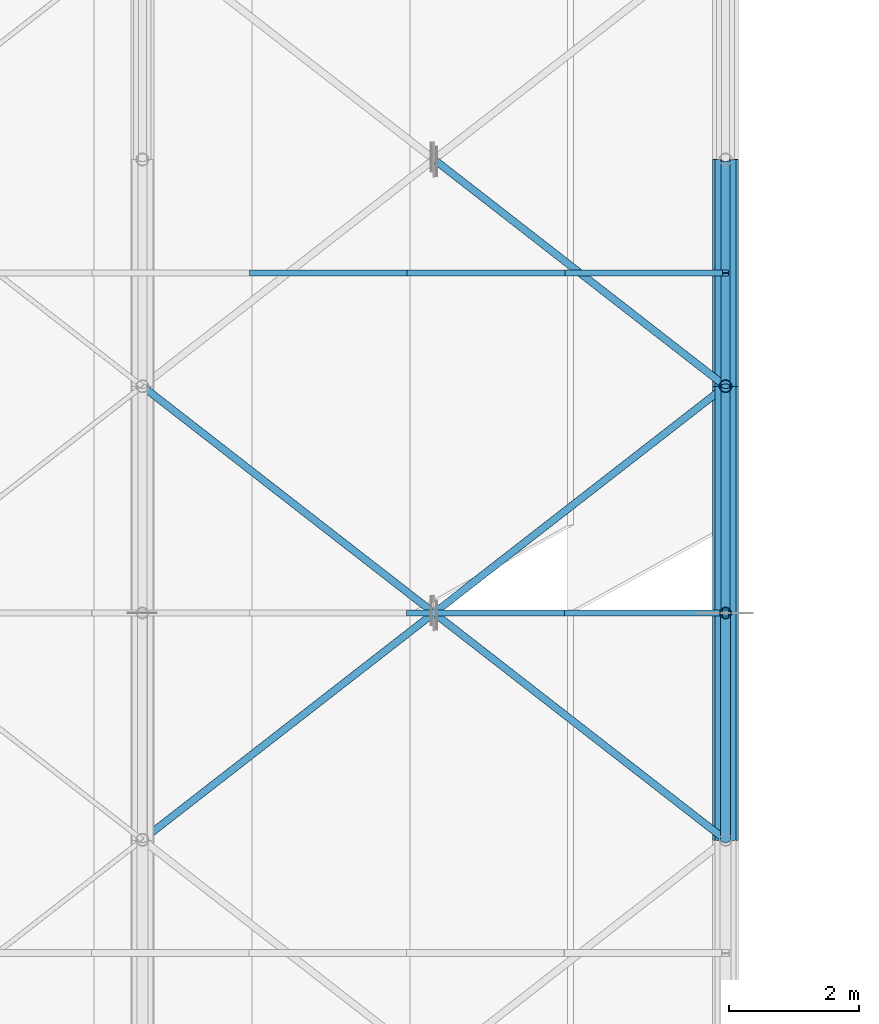
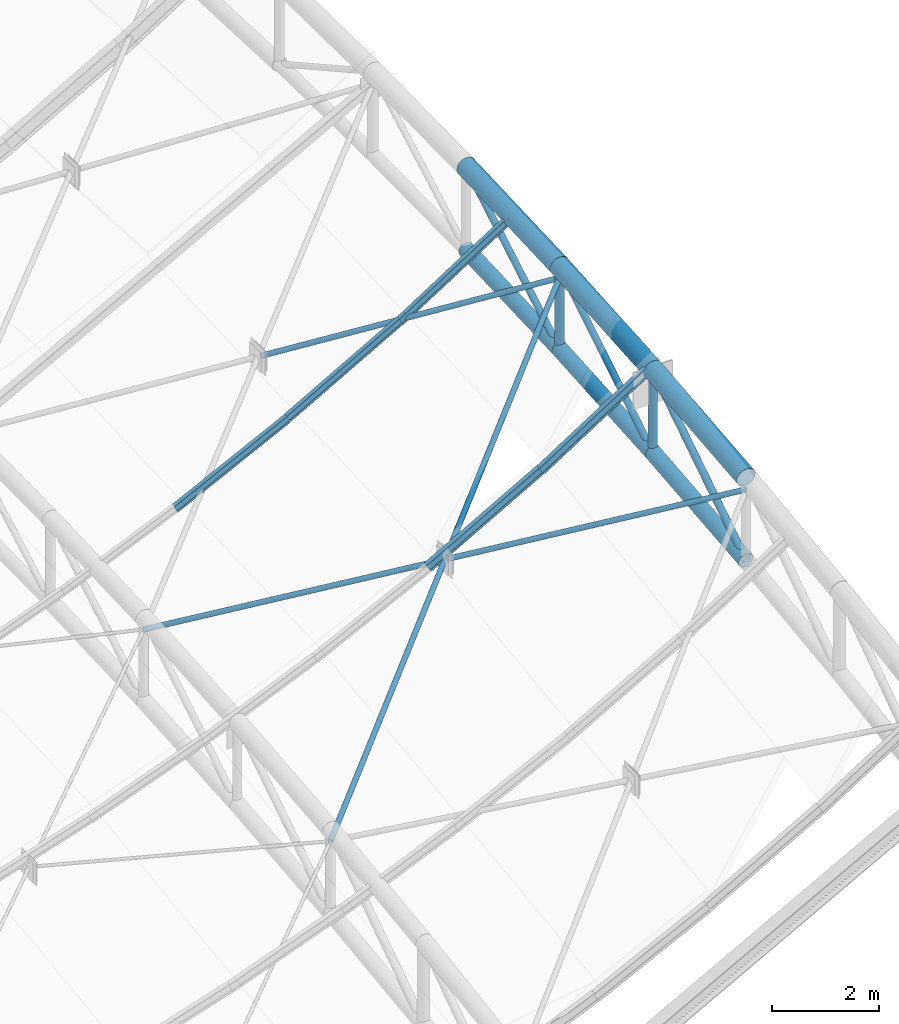
# One storey, part 32 of 262: 20 members.
"""IFC4 building model written with IfcOpenShell, lengths in metres."""

from ifc_helpers import new_model, si_unit, derived_unit, direction, frame, origin, origin_2d, place, context, subcontext, project, spatial, hollow_circle, i_section, extrude, material, material_profile, profile_set, type_object, element, save


model = new_model("IFC4")

# Units and contexts
model_context = context("Model", 3, precision=1e-05, world=origin(), true_north=direction((0.0, 1.0)))
body_context = subcontext(model_context, "Body", "Model", "MODEL_VIEW")
ifc_project = project(units=[si_unit("LENGTHUNIT", "METRE"), si_unit("AREAUNIT", "SQUARE_METRE"), si_unit("VOLUMEUNIT", "CUBIC_METRE"), si_unit("PLANEANGLEUNIT", "RADIAN"), si_unit("MASSUNIT", "GRAM", prefix="KILO"), derived_unit("THERMALTRANSMITTANCEUNIT", [(si_unit("POWERUNIT", "WATT"), 1), (si_unit("LENGTHUNIT", "METRE"), -2), (si_unit("THERMODYNAMICTEMPERATUREUNIT", "KELVIN"), -1)])], contexts=[model_context])

# Site, building, storey
site_placement = place(None, origin())
site = spatial("IfcSite", under=ifc_project, at=site_placement, CompositionType="ELEMENT")
building_placement = place(site_placement, origin())
building = spatial("IfcBuilding", under=site, at=building_placement, Name="Almenara Railside Exhibition Hall", CompositionType="ELEMENT")
storey_placement = place(building_placement, frame((0.0, 0.0, 21.699951171875)))
storey = spatial("IfcBuildingStorey", under=building, at=storey_placement, Name="RF", CompositionType="ELEMENT", Elevation=21.699951171875)

# Members
ifc_material = material(Name="Structural steel S355JR", Category="steel")
ifc_material_profile_1 = material_profile(ifc_material, hollow_circle(Radius=0.203125, WallThickness=0.012451171875, at=origin_2d()), Name="CHS 406.4x12.5")
ifc_profile_set_1 = profile_set([ifc_material_profile_1], Name="Structural steel S355JR")
member_type_1 = type_object("IfcMemberType", Name="Plenary Gable Top Chord CHS 406.4x12.5 S355JR", PredefinedType="CHORD", material=ifc_profile_set_1)
member_1_placement = place(storey_placement, frame((66.0, 7.0, 1.900146484375), z_axis=(0.0, 0.995041312637, 0.09946248612), x_axis=(-1.0, 0.0, 0.0)))
element("IfcMember", 1, at=member_1_placement, inside=storey, type_object=member_type_1, Name="MEM-TC-V4-07-02", PredefinedType="CHORD", context=body_context, shape_type="SweptSolid", body=[
    extrude(hollow_circle(Radius=0.203125, WallThickness=0.012451171875, at=origin_2d()), origin(), (0.0, 0.0, 1.0), 3.517333984375),
])
member_2_placement = place(storey_placement, frame((66.0, 10.5, 2.25), z_axis=(0.0, 0.997458699831, 0.071247049988), x_axis=(-1.0, 0.0, 0.0)))
element("IfcMember", 2, at=member_2_placement, inside=storey, type_object=member_type_1, Name="MEM-TC-V4-07-03", PredefinedType="CHORD", context=body_context, shape_type="SweptSolid", body=[
    extrude(hollow_circle(Radius=0.203125, WallThickness=0.012451171875, at=origin_2d()), origin(), (0.0, 0.0, 1.0), 3.509033203125),
])
member_3_placement = place(storey_placement, frame((66.0, 14.0, 2.5), z_axis=(0.0, 0.999081106193, 0.042859575914), x_axis=(-1.0, 0.0, 0.0)))
element("IfcMember", 3, at=member_3_placement, inside=storey, type_object=member_type_1, Name="MEM-TC-V4-07-04", PredefinedType="CHORD", context=body_context, shape_type="SweptSolid", body=[
    extrude(hollow_circle(Radius=0.203125, WallThickness=0.012451171875, at=origin_2d()), origin(), (0.0, 0.0, 1.0), 3.503173828125),
])
ifc_material_profile_2 = material_profile(ifc_material, i_section(OverallWidth=0.091064453125, OverallDepth=0.179931640625, WebThickness=0.00537109375, FlangeThickness=0.008056640625, FilletRadius=0.009033203125, at=origin_2d()), Name="IPE 180")
ifc_profile_set_2 = profile_set([ifc_material_profile_2], Name="Structural steel S355JR")
member_type_2 = type_object("IfcMemberType", Name="Plenary Roof Purlin IPE 180 S355JR", PredefinedType="PURLIN", material=ifc_profile_set_2)
member_4_placement = place(storey_placement, frame((58.68994140625, 15.75, -1.55712890625), z_axis=(0.895376074457, 0.0, 0.445310773831), x_axis=(0.0, 1.0, 0.0)))
element("IfcMember", 4, at=member_4_placement, inside=storey, type_object=member_type_2, Name="MEM-PR-V4-PR-IPE180-03-25", PredefinedType="PURLIN", context=body_context, shape_type="SweptSolid", body=[
    extrude(i_section(OverallWidth=0.091064453125, OverallDepth=0.179931640625, WebThickness=0.00537109375, FlangeThickness=0.008056640625, FilletRadius=0.009033203125, at=origin_2d()), origin(), (0.0, 0.0, 1.0), 2.721435546875),
])
member_5_placement = place(storey_placement, frame((61.126708984375, 15.75, -0.337158203125), z_axis=(0.870445855666, 0.0, 0.492264169277), x_axis=(0.0, 1.0, 0.0)))
element("IfcMember", 5, at=member_5_placement, inside=storey, type_object=member_type_2, Name="MEM-PR-V4-PR-IPE180-03-26", PredefinedType="PURLIN", context=body_context, shape_type="SweptSolid", body=[
    extrude(i_section(OverallWidth=0.091064453125, OverallDepth=0.179931640625, WebThickness=0.00537109375, FlangeThickness=0.008056640625, FilletRadius=0.009033203125, at=origin_2d()), origin(), (0.0, 0.0, 1.0), 2.799072265625),
])
member_6_placement = place(storey_placement, frame((63.563232421875, 15.75, 1.0302734375), z_axis=(0.842265270347, 0.0, 0.53906327492), x_axis=(0.0, 1.0, 0.0)))
element("IfcMember", 6, at=member_6_placement, inside=storey, type_object=member_type_2, Name="MEM-PR-V4-PR-IPE180-03-27", PredefinedType="PURLIN", context=body_context, shape_type="SweptSolid", body=[
    extrude(i_section(OverallWidth=0.091064453125, OverallDepth=0.179931640625, WebThickness=0.00537109375, FlangeThickness=0.008056640625, FilletRadius=0.009033203125, at=origin_2d()), origin(), (0.0, 0.0, 1.0), 2.89306640625),
])
ifc_material_profile_3 = material_profile(ifc_material, hollow_circle(Radius=0.161865234375, WallThickness=0.010009765625, at=origin_2d()), Name="CHS 323.9x10")
ifc_profile_set_3 = profile_set([ifc_material_profile_3], Name="Structural steel S355JR")
member_type_3 = type_object("IfcMemberType", Name="Plenary Truss Bottom Chord CHS 323.9x10 S355JR", PredefinedType="CHORD", material=ifc_profile_set_3)
member_7_placement = place(storey_placement, frame((66.0, 7.0, 0.0), z_axis=(0.0, 0.995034440995, 0.099531207337), x_axis=(-1.0, 0.0, 0.0)))
element("IfcMember", 7, at=member_7_placement, inside=storey, type_object=member_type_3, Name="MEM-BC-V4-07-02", PredefinedType="CHORD", context=body_context, shape_type="SweptSolid", body=[
    extrude(hollow_circle(Radius=0.161865234375, WallThickness=0.010009765625, at=origin_2d()), origin(), (0.0, 0.0, 1.0), 3.517578125),
])
member_8_placement = place(storey_placement, frame((66.0, 10.5, 0.35009765625), z_axis=(0.0, 0.997458699831, 0.071247049988), x_axis=(-1.0, 0.0, 0.0)))
element("IfcMember", 8, at=member_8_placement, inside=storey, type_object=member_type_3, Name="MEM-BC-V4-07-03", PredefinedType="CHORD", context=body_context, shape_type="SweptSolid", body=[
    extrude(hollow_circle(Radius=0.161865234375, WallThickness=0.010009765625, at=origin_2d()), origin(), (0.0, 0.0, 1.0), 3.509033203125),
])
member_9_placement = place(storey_placement, frame((66.0, 14.0, 0.60009765625), z_axis=(0.0, 0.999084087935, 0.042790013253), x_axis=(-1.0, 0.0, 0.0)))
element("IfcMember", 9, at=member_9_placement, inside=storey, type_object=member_type_3, Name="MEM-BC-V4-07-04", PredefinedType="CHORD", context=body_context, shape_type="SweptSolid", body=[
    extrude(hollow_circle(Radius=0.161865234375, WallThickness=0.010009765625, at=origin_2d()), origin(), (0.0, 0.0, 1.0), 3.503173828125),
])
ifc_material_profile_4 = material_profile(ifc_material, hollow_circle(Radius=0.05712890625, WallThickness=0.00439453125, at=origin_2d()), Name="CHS 114.3x4.5")
ifc_profile_set_4 = profile_set([ifc_material_profile_4], Name="Structural steel S355JR")
member_type_4 = type_object("IfcMemberType", Name="Roof Wind Plan X-Brace CHS 114.3x4.5 S355JR", PredefinedType="BRACE", material=ifc_profile_set_4)
member_10_placement = place(storey_placement, frame((57.0, 7.0, -3.279052734375), z_axis=(0.710981083192, 0.552985286927, 0.434411293344), x_axis=(-0.613940613515, 0.789352217376, 0.0)))
element("IfcMember", 10, at=member_10_placement, inside=storey, type_object=member_type_4, Name="MEM-WB-V4-WB-CHS114-06-02-C", PredefinedType="BRACE", context=body_context, shape_type="SweptSolid", body=[
    extrude(hollow_circle(Radius=0.05712890625, WallThickness=0.00439453125, at=origin_2d()), origin(), (0.0, 0.0, 1.0), 12.658447265625),
])
for number, where, z_axis, x_axis, name in (
    (11, (57.0, 14.0, -2.678955078125), (0.738596936291, -0.574459786258, 0.352803797704), (0.613937618628, 0.789354546724, 0.0), "MEM-WB-V4-WB-CHS114-06-02-S1"),
    (12, (61.545166015625, 10.46484375, -0.5078125), (0.738596936291, -0.574459786258, 0.352803797704), (0.613937618628, 0.789354546724, 0.0), "MEM-WB-V4-WB-CHS114-06-02-S2"),
):
    element("IfcMember", number, at=place(storey_placement, frame(where, z_axis=z_axis, x_axis=x_axis)), inside=storey, type_object=member_type_4, Name=name, PredefinedType="BRACE", context=body_context, shape_type="SweptSolid", body=[
        extrude(hollow_circle(Radius=0.05712890625, WallThickness=0.00439453125, at=origin_2d()), origin(), (0.0, 0.0, 1.0), 6.031494140625),
    ])
member_11_placement = place(storey_placement, frame((61.544677734375, 17.46533203125, -0.106201171875), z_axis=(0.729797465347, -0.56763358119, 0.381035138902), x_axis=(0.613949597032, 0.789345230114, 0.0)))
element("IfcMember", 13, at=member_11_placement, inside=storey, type_object=member_type_4, Name="MEM-WB-V4-WB-CHS114-06-04-S2", PredefinedType="BRACE", context=body_context, shape_type="SweptSolid", body=[
    extrude(hollow_circle(Radius=0.05712890625, WallThickness=0.00439453125, at=origin_2d()), origin(), (0.0, 0.0, 1.0), 6.10498046875),
])
ifc_material_profile_5 = material_profile(ifc_material, i_section(OverallWidth=0.10009765625, OverallDepth=0.199951171875, WebThickness=0.005615234375, FlangeThickness=0.008544921875, FilletRadius=0.011962890625, at=origin_2d()), Name="IPE 200")
ifc_profile_set_5 = profile_set([ifc_material_profile_5], Name="Structural steel S355JR")
member_type_5 = type_object("IfcMemberType", Name="Standard Hall Roof Purlin IPE 200 S355JR", PredefinedType="PURLIN", material=ifc_profile_set_5)
member_12_placement = place(storey_placement, frame((61.126708984375, 10.5, -0.575927734375), z_axis=(0.870445855666, 0.0, 0.492264169277), x_axis=(0.0, 1.0, 0.0)))
element("IfcMember", 14, at=member_12_placement, inside=storey, type_object=member_type_5, Name="MEM-PR-V4-PR-IPE200-02-26", PredefinedType="PURLIN", context=body_context, shape_type="SweptSolid", body=[
    extrude(i_section(OverallWidth=0.10009765625, OverallDepth=0.199951171875, WebThickness=0.005615234375, FlangeThickness=0.008544921875, FilletRadius=0.011962890625, at=origin_2d()), origin(), (0.0, 0.0, 1.0), 2.799072265625),
])
member_13_placement = place(storey_placement, frame((63.563232421875, 10.5, 0.791259765625), z_axis=(0.842265270347, 0.0, 0.53906327492), x_axis=(0.0, 1.0, 0.0)))
element("IfcMember", 15, at=member_13_placement, inside=storey, type_object=member_type_5, Name="MEM-PR-V4-PR-IPE200-02-27", PredefinedType="PURLIN", context=body_context, shape_type="SweptSolid", body=[
    extrude(i_section(OverallWidth=0.10009765625, OverallDepth=0.199951171875, WebThickness=0.005615234375, FlangeThickness=0.008544921875, FilletRadius=0.011962890625, at=origin_2d()), origin(), (0.0, 0.0, 1.0), 2.89306640625),
])
ifc_material_profile_6 = material_profile(ifc_material, hollow_circle(Radius=0.06982421875, WallThickness=0.0048828125, at=origin_2d()), Name="CHS 139.7x5")
ifc_profile_set_6 = profile_set([ifc_material_profile_6], Name="Structural steel S355JR")
member_type_6 = type_object("IfcMemberType", Name="Truss Inner Diagonal CHS 139.7x5 S355JR", PredefinedType="BRACE", material=ifc_profile_set_6)
member_14_placement = place(storey_placement, frame((66.0, 10.5, 0.35009765625), z_axis=(0.0, 0.852086589476, 0.523400844512), x_axis=(-1.0, 0.0, 0.0)))
element("IfcMember", 16, at=member_14_placement, inside=storey, type_object=member_type_6, Name="MEM-TD-V4-07-03", PredefinedType="BRACE", context=body_context, shape_type="SweptSolid", body=[
    extrude(hollow_circle(Radius=0.06982421875, WallThickness=0.0048828125, at=origin_2d()), origin(), (0.0, 0.0, 1.0), 4.107666015625),
])
member_15_placement = place(storey_placement, frame((66.0, 14.0, 0.60009765625), z_axis=(0.0, 0.862878111278, 0.505412074526), x_axis=(-1.0, 0.0, 0.0)))
element("IfcMember", 17, at=member_15_placement, inside=storey, type_object=member_type_6, Name="MEM-TD-V4-07-04", PredefinedType="BRACE", context=body_context, shape_type="SweptSolid", body=[
    extrude(hollow_circle(Radius=0.06982421875, WallThickness=0.0048828125, at=origin_2d()), origin(), (0.0, 0.0, 1.0), 4.05615234375),
])
ifc_material_profile_7 = material_profile(ifc_material, hollow_circle(Radius=0.076171875, WallThickness=0.0048828125, at=origin_2d()), Name="CHS 152.4x5")
ifc_profile_set_7 = profile_set([ifc_material_profile_7], Name="Structural steel S355JR")
member_type_7 = type_object("IfcMemberType", Name="Truss Mid Diagonal CHS 152.4x5 S355JR", PredefinedType="BRACE", material=ifc_profile_set_7)
member_16_placement = place(storey_placement, frame((66.0, 7.0, 0.0), z_axis=(0.0, 0.841178475377, 0.540757591313), x_axis=(-1.0, 0.0, 0.0)))
element("IfcMember", 18, at=member_16_placement, inside=storey, type_object=member_type_7, Name="MEM-TD-V4-07-02", PredefinedType="BRACE", context=body_context, shape_type="SweptSolid", body=[
    extrude(hollow_circle(Radius=0.076171875, WallThickness=0.0048828125, at=origin_2d()), origin(), (0.0, 0.0, 1.0), 4.160888671875),
])
ifc_material_profile_8 = material_profile(ifc_material, hollow_circle(Radius=0.0888671875, WallThickness=0.006103515625, at=origin_2d()), Name="CHS 177.8x6")
ifc_profile_set_8 = profile_set([ifc_material_profile_8], Name="Structural steel S355JR")
member_type_8 = type_object("IfcMemberType", Name="Truss Quarter Vertical Strut CHS 177.8x6 S355JR", PredefinedType="BRACE", material=ifc_profile_set_8)
member_17_placement = place(storey_placement, frame((66.0, 10.5, 0.35009765625), z_axis=(0.0, 0.0, 1.0), x_axis=(1.0, 0.0, 0.0)))
element("IfcMember", 19, at=member_17_placement, inside=storey, type_object=member_type_8, Name="MEM-TV-V4-07-03", PredefinedType="BRACE", context=body_context, shape_type="SweptSolid", body=[
    extrude(hollow_circle(Radius=0.0888671875, WallThickness=0.006103515625, at=origin_2d()), origin(), (0.0, 0.0, 1.0), 1.89990234375),
])
ifc_material_profile_9 = material_profile(ifc_material, hollow_circle(Radius=0.096923828125, WallThickness=0.00634765625, at=origin_2d()), Name="CHS 193.7x6.3")
ifc_profile_set_9 = profile_set([ifc_material_profile_9], Name="Structural steel S355JR")
member_type_9 = type_object("IfcMemberType", Name="Truss Standard Vertical Strut CHS 193.7x6.3 S355JR", PredefinedType="BRACE", material=ifc_profile_set_9)
member_18_placement = place(storey_placement, frame((66.0, 14.0, 0.60009765625), z_axis=(0.0, 0.0, 1.0), x_axis=(1.0, 0.0, 0.0)))
element("IfcMember", 20, at=member_18_placement, inside=storey, type_object=member_type_9, Name="MEM-TV-V4-07-04", PredefinedType="BRACE", context=body_context, shape_type="SweptSolid", body=[
    extrude(hollow_circle(Radius=0.096923828125, WallThickness=0.00634765625, at=origin_2d()), origin(), (0.0, 0.0, 1.0), 1.89990234375),
])

save(model, "model.ifc")
